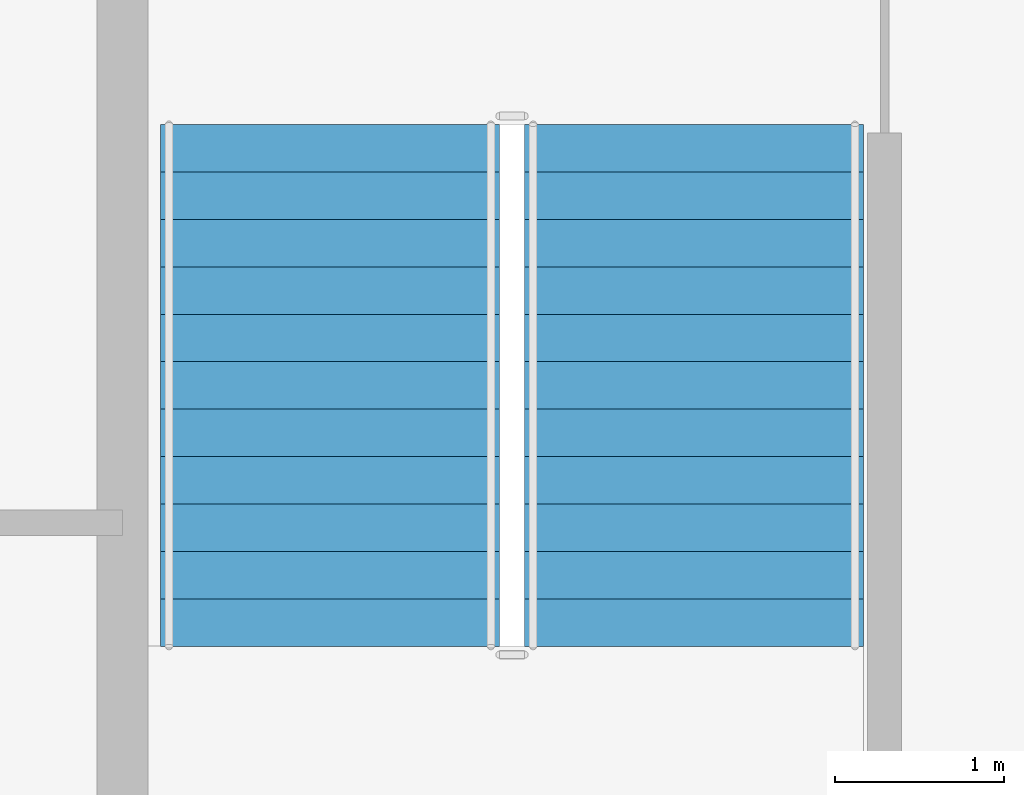
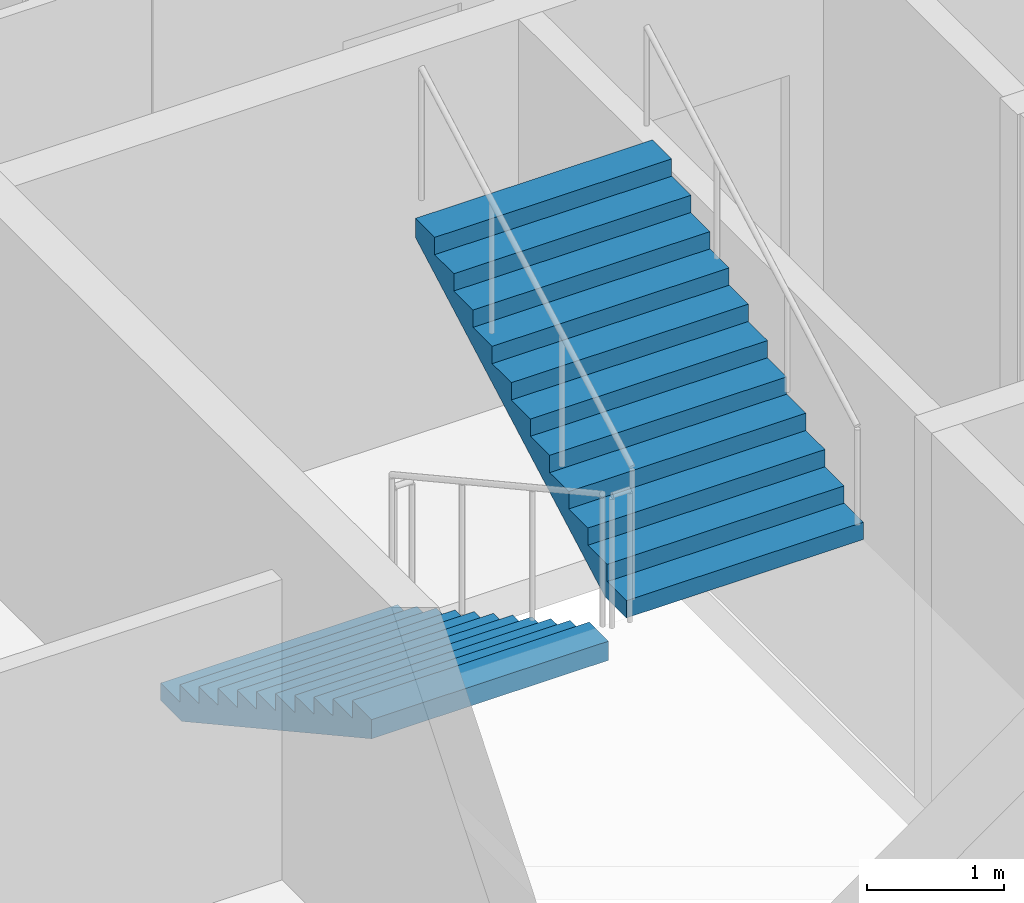
# One storey, part 9 of 12: 2 stair flights, 1 element without a shape of its own.
"""IFC4 building model written with IfcOpenShell, lengths in metres."""

from ifc_helpers import new_model, si_unit, direction, frame, origin, place, context, subcontext, project, spatial, polygons, material, type_object, element, aggregate, save


model = new_model("IFC4")

# Units and contexts
model_context = context("Model", 3, precision=1e-05, world=origin(), true_north=direction((0.0, 1.0)))
body_context = subcontext(model_context, "Body", "Model", "MODEL_VIEW")
ifc_project = project(units=[si_unit("LENGTHUNIT", "METRE"), si_unit("AREAUNIT", "SQUARE_METRE"), si_unit("VOLUMEUNIT", "CUBIC_METRE"), si_unit("PLANEANGLEUNIT", "RADIAN"), si_unit("MASSUNIT", "GRAM", prefix="KILO")], contexts=[model_context])

# Site, building, storey
site_placement = place(None, origin())
site = spatial("IfcSite", under=ifc_project, at=site_placement, CompositionType="ELEMENT")
building_placement = place(site_placement, origin())
building = spatial("IfcBuilding", under=site, at=building_placement, Name="Caravel Reach Hotel and Residences", CompositionType="ELEMENT")
storey_placement = place(building_placement, frame((0.0, 0.0, 218.300048828125)))
storey = spatial("IfcBuildingStorey", under=building, at=storey_placement, Name="L55", CompositionType="ELEMENT", Elevation=218.300048828125)

# Stair, stair flights
ifc_material_1 = material(Name="Concrete C40", Category="concrete")
stair_type = type_object("IfcStairType", Name="Core stair", PredefinedType="HALF_TURN_STAIR", material=ifc_material_1)
stair_placement = place(storey_placement, origin())
stair = element("IfcStair", 1, at=stair_placement, inside=storey, type_object=stair_type, Name="L55 Exit stair A", PredefinedType="HALF_TURN_STAIR")
ifc_material_2 = material(Name="Concrete C40", Category="concrete")
stair_flight_type = type_object("IfcStairFlightType", Name="Core stair flight", PredefinedType="STRAIGHT", material=ifc_material_2)
stair_flight_1_placement = place(storey_placement, frame((19.22509765625, 29.35009765625, 0.0), z_axis=(0.0, 0.0, 1.0), x_axis=(0.0, -1.0, 0.0)))
stair_flight_1 = element("IfcStairFlight", 2, at=stair_flight_1_placement, type_object=stair_flight_type, Name="ST-A flight 1", NumberOfRisers=12, NumberOfTreads=11, PredefinedType="STRAIGHT", RiserHeight=0.154166667, TreadLength=0.28, context=body_context, shape_type="Tessellation", body=[
    polygons([(0.3107950034306102, 1.0, 0.0), (0.3107950034306102, 0.6666666666666667, 0.0), (0.3107950034306102, 0.33333333333333337, 0.0), (0.3107950034306102, 0.0, 0.0), (0.3107950034306102, -0.33333333333333326, 0.0), (0.3107950034306102, -0.6666666666666667, 0.0), (0.3107950034306102, -1.0, 0.0), (3.081, 1.0, 1.524711087717319), (3.081, 0.6666666666666667, 1.524711087717319), (3.081, 0.33333333333333337, 1.524711087717319), (3.081, 0.0, 1.524711087717319), (3.081, -0.33333333333333326, 1.524711087717319), (3.081, -0.6666666666666667, 1.524711087717319), (3.081, -1.0, 1.524711087717319), (3.081, 1.0, 1.695833337), (3.081, 0.6666666666666667, 1.695833337), (3.081, 0.33333333333333337, 1.695833337), (3.081, 0.0, 1.695833337), (3.081, -0.33333333333333326, 1.695833337), (3.081, -0.6666666666666667, 1.695833337), (3.081, -1.0, 1.695833337), (2.8000000000000003, 1.0, 1.695833337), (2.8000000000000003, 0.6666666666666667, 1.695833337), (2.8000000000000003, 0.33333333333333337, 1.695833337), (2.8000000000000003, 0.0, 1.695833337), (2.8000000000000003, -0.33333333333333326, 1.695833337), (2.8000000000000003, -0.6666666666666667, 1.695833337), (2.8000000000000003, -1.0, 1.695833337), (2.8000000000000003, 1.0, 1.5416666700000001), (2.8000000000000003, 0.6666666666666667, 1.5416666700000001), (2.8000000000000003, 0.33333333333333337, 1.5416666700000001), (2.8000000000000003, 0.0, 1.5416666700000001), (2.8000000000000003, -0.33333333333333326, 1.5416666700000001), (2.8000000000000003, -0.6666666666666667, 1.5416666700000001), (2.8000000000000003, -1.0, 1.5416666700000001), (2.5200000000000005, 1.0, 1.5416666700000001), (2.5200000000000005, 0.6666666666666667, 1.5416666700000001), (2.5200000000000005, 0.33333333333333337, 1.5416666700000001), (2.5200000000000005, 0.0, 1.5416666700000001), (2.5200000000000005, -0.33333333333333326, 1.5416666700000001), (2.5200000000000005, -0.6666666666666667, 1.5416666700000001), (2.5200000000000005, -1.0, 1.5416666700000001), (2.5200000000000005, 1.0, 1.387500003), (2.5200000000000005, 0.6666666666666667, 1.387500003), (2.5200000000000005, 0.33333333333333337, 1.387500003), (2.5200000000000005, 0.0, 1.387500003), (2.5200000000000005, -0.33333333333333326, 1.387500003), (2.5200000000000005, -0.6666666666666667, 1.387500003), (2.5200000000000005, -1.0, 1.387500003), (2.24, 1.0, 1.387500003), (2.24, 0.6666666666666667, 1.387500003), (2.24, 0.33333333333333337, 1.387500003), (2.24, 0.0, 1.387500003), (2.24, -0.33333333333333326, 1.387500003), (2.24, -0.6666666666666667, 1.387500003), (2.24, -1.0, 1.387500003), (2.24, 1.0, 1.233333336), (2.24, 0.6666666666666667, 1.233333336), (2.24, 0.33333333333333337, 1.233333336), (2.24, 0.0, 1.233333336), (2.24, -0.33333333333333326, 1.233333336), (2.24, -0.6666666666666667, 1.233333336), (2.24, -1.0, 1.233333336), (1.9600000000000002, 1.0, 1.233333336), (1.9600000000000002, 0.6666666666666667, 1.233333336), (1.9600000000000002, 0.33333333333333337, 1.233333336), (1.9600000000000002, 0.0, 1.233333336), (1.9600000000000002, -0.33333333333333326, 1.233333336), (1.9600000000000002, -0.6666666666666667, 1.233333336), (1.9600000000000002, -1.0, 1.233333336), (1.9600000000000002, 1.0, 1.0791666690000001), (1.9600000000000002, 0.6666666666666667, 1.0791666690000001), (1.9600000000000002, 0.33333333333333337, 1.0791666690000001), (1.9600000000000002, 0.0, 1.0791666690000001), (1.9600000000000002, -0.33333333333333326, 1.0791666690000001), (1.9600000000000002, -0.6666666666666667, 1.0791666690000001), (1.9600000000000002, -1.0, 1.0791666690000001), (1.6800000000000002, 1.0, 1.0791666690000001), (1.6800000000000002, 0.6666666666666667, 1.0791666690000001), (1.6800000000000002, 0.33333333333333337, 1.0791666690000001), (1.6800000000000002, 0.0, 1.0791666690000001), (1.6800000000000002, -0.33333333333333326, 1.0791666690000001), (1.6800000000000002, -0.6666666666666667, 1.0791666690000001), (1.6800000000000002, -1.0, 1.0791666690000001), (1.6800000000000002, 1.0, 0.925000002), (1.6800000000000002, 0.6666666666666667, 0.925000002), (1.6800000000000002, 0.33333333333333337, 0.925000002), (1.6800000000000002, 0.0, 0.925000002), (1.6800000000000002, -0.33333333333333326, 0.925000002), (1.6800000000000002, -0.6666666666666667, 0.925000002), (1.6800000000000002, -1.0, 0.925000002), (1.4000000000000001, 1.0, 0.925000002), (1.4000000000000001, 0.6666666666666667, 0.925000002), (1.4000000000000001, 0.33333333333333337, 0.925000002), (1.4000000000000001, 0.0, 0.925000002), (1.4000000000000001, -0.33333333333333326, 0.925000002), (1.4000000000000001, -0.6666666666666667, 0.925000002), (1.4000000000000001, -1.0, 0.925000002), (1.4000000000000001, 1.0, 0.7708333350000001), (1.4000000000000001, 0.6666666666666667, 0.7708333350000001), (1.4000000000000001, 0.33333333333333337, 0.7708333350000001), (1.4000000000000001, 0.0, 0.7708333350000001), (1.4000000000000001, -0.33333333333333326, 0.7708333350000001), (1.4000000000000001, -0.6666666666666667, 0.7708333350000001), (1.4000000000000001, -1.0, 0.7708333350000001), (1.12, 1.0, 0.7708333350000001), (1.12, 0.6666666666666667, 0.7708333350000001), (1.12, 0.33333333333333337, 0.7708333350000001), (1.12, 0.0, 0.7708333350000001), (1.12, -0.33333333333333326, 0.7708333350000001), (1.12, -0.6666666666666667, 0.7708333350000001), (1.12, -1.0, 0.7708333350000001), (1.12, 1.0, 0.616666668), (1.12, 0.6666666666666667, 0.616666668), (1.12, 0.33333333333333337, 0.616666668), (1.12, 0.0, 0.616666668), (1.12, -0.33333333333333326, 0.616666668), (1.12, -0.6666666666666667, 0.616666668), (1.12, -1.0, 0.616666668), (0.8400000000000001, 1.0, 0.616666668), (0.8400000000000001, 0.6666666666666667, 0.616666668), (0.8400000000000001, 0.33333333333333337, 0.616666668), (0.8400000000000001, 0.0, 0.616666668), (0.8400000000000001, -0.33333333333333326, 0.616666668), (0.8400000000000001, -0.6666666666666667, 0.616666668), (0.8400000000000001, -1.0, 0.616666668), (0.8400000000000001, 1.0, 0.462500001), (0.8400000000000001, 0.6666666666666667, 0.462500001), (0.8400000000000001, 0.33333333333333337, 0.462500001), (0.8400000000000001, 0.0, 0.462500001), (0.8400000000000001, -0.33333333333333326, 0.462500001), (0.8400000000000001, -0.6666666666666667, 0.462500001), (0.8400000000000001, -1.0, 0.462500001), (0.56, 1.0, 0.462500001), (0.56, 0.6666666666666667, 0.462500001), (0.56, 0.33333333333333337, 0.462500001), (0.56, 0.0, 0.462500001), (0.56, -0.33333333333333326, 0.462500001), (0.56, -0.6666666666666667, 0.462500001), (0.56, -1.0, 0.462500001), (0.56, 1.0, 0.308333334), (0.56, 0.6666666666666667, 0.308333334), (0.56, 0.33333333333333337, 0.308333334), (0.56, 0.0, 0.308333334), (0.56, -0.33333333333333326, 0.308333334), (0.56, -0.6666666666666667, 0.308333334), (0.56, -1.0, 0.308333334), (0.28, 1.0, 0.308333334), (0.28, 0.6666666666666667, 0.308333334), (0.28, 0.33333333333333337, 0.308333334), (0.28, 0.0, 0.308333334), (0.28, -0.33333333333333326, 0.308333334), (0.28, -0.6666666666666667, 0.308333334), (0.28, -1.0, 0.308333334), (0.28, 1.0, 0.154166667), (0.28, 0.6666666666666667, 0.154166667), (0.28, 0.33333333333333337, 0.154166667), (0.28, 0.0, 0.154166667), (0.28, -0.33333333333333326, 0.154166667), (0.28, -0.6666666666666667, 0.154166667), (0.28, -1.0, 0.154166667), (-0.001, 1.0, 0.154166667), (-0.001, 0.6666666666666667, 0.154166667), (-0.001, 0.33333333333333337, 0.154166667), (-0.001, 0.0, 0.154166667), (-0.001, -0.33333333333333326, 0.154166667), (-0.001, -0.6666666666666667, 0.154166667), (-0.001, -1.0, 0.154166667), (-0.001, 1.0, 0.0), (-0.001, 0.6666666666666667, 0.0), (-0.001, 0.33333333333333337, 0.0), (-0.001, 0.0, 0.0), (-0.001, -0.33333333333333326, 0.0), (-0.001, -0.6666666666666667, 0.0), (-0.001, -1.0, 0.0)], [[[169, 162, 155, 148, 141, 134, 127, 120, 113, 106, 99, 92, 85, 78, 71, 64, 57, 50, 43, 36, 29, 22, 15, 8, 1]], [[7, 14, 21, 28, 35, 42, 49, 56, 63, 70, 77, 84, 91, 98, 105, 112, 119, 126, 133, 140, 147, 154, 161, 168, 175]], [[1, 8, 9, 2]], [[2, 9, 10, 3]], [[3, 10, 11, 4]], [[4, 11, 12, 5]], [[5, 12, 13, 6]], [[6, 13, 14, 7]], [[8, 15, 16, 9]], [[9, 16, 17, 10]], [[10, 17, 18, 11]], [[11, 18, 19, 12]], [[12, 19, 20, 13]], [[13, 20, 21, 14]], [[15, 22, 23, 16]], [[16, 23, 24, 17]], [[17, 24, 25, 18]], [[18, 25, 26, 19]], [[19, 26, 27, 20]], [[20, 27, 28, 21]], [[22, 29, 30, 23]], [[23, 30, 31, 24]], [[24, 31, 32, 25]], [[25, 32, 33, 26]], [[26, 33, 34, 27]], [[27, 34, 35, 28]], [[29, 36, 37, 30]], [[30, 37, 38, 31]], [[31, 38, 39, 32]], [[32, 39, 40, 33]], [[33, 40, 41, 34]], [[34, 41, 42, 35]], [[36, 43, 44, 37]], [[37, 44, 45, 38]], [[38, 45, 46, 39]], [[39, 46, 47, 40]], [[40, 47, 48, 41]], [[41, 48, 49, 42]], [[43, 50, 51, 44]], [[44, 51, 52, 45]], [[45, 52, 53, 46]], [[46, 53, 54, 47]], [[47, 54, 55, 48]], [[48, 55, 56, 49]], [[50, 57, 58, 51]], [[51, 58, 59, 52]], [[52, 59, 60, 53]], [[53, 60, 61, 54]], [[54, 61, 62, 55]], [[55, 62, 63, 56]], [[57, 64, 65, 58]], [[58, 65, 66, 59]], [[59, 66, 67, 60]], [[60, 67, 68, 61]], [[61, 68, 69, 62]], [[62, 69, 70, 63]], [[64, 71, 72, 65]], [[65, 72, 73, 66]], [[66, 73, 74, 67]], [[67, 74, 75, 68]], [[68, 75, 76, 69]], [[69, 76, 77, 70]], [[71, 78, 79, 72]], [[72, 79, 80, 73]], [[73, 80, 81, 74]], [[74, 81, 82, 75]], [[75, 82, 83, 76]], [[76, 83, 84, 77]], [[78, 85, 86, 79]], [[79, 86, 87, 80]], [[80, 87, 88, 81]], [[81, 88, 89, 82]], [[82, 89, 90, 83]], [[83, 90, 91, 84]], [[85, 92, 93, 86]], [[86, 93, 94, 87]], [[87, 94, 95, 88]], [[88, 95, 96, 89]], [[89, 96, 97, 90]], [[90, 97, 98, 91]], [[92, 99, 100, 93]], [[93, 100, 101, 94]], [[94, 101, 102, 95]], [[95, 102, 103, 96]], [[96, 103, 104, 97]], [[97, 104, 105, 98]], [[99, 106, 107, 100]], [[100, 107, 108, 101]], [[101, 108, 109, 102]], [[102, 109, 110, 103]], [[103, 110, 111, 104]], [[104, 111, 112, 105]], [[106, 113, 114, 107]], [[107, 114, 115, 108]], [[108, 115, 116, 109]], [[109, 116, 117, 110]], [[110, 117, 118, 111]], [[111, 118, 119, 112]], [[113, 120, 121, 114]], [[114, 121, 122, 115]], [[115, 122, 123, 116]], [[116, 123, 124, 117]], [[117, 124, 125, 118]], [[118, 125, 126, 119]], [[120, 127, 128, 121]], [[121, 128, 129, 122]], [[122, 129, 130, 123]], [[123, 130, 131, 124]], [[124, 131, 132, 125]], [[125, 132, 133, 126]], [[127, 134, 135, 128]], [[128, 135, 136, 129]], [[129, 136, 137, 130]], [[130, 137, 138, 131]], [[131, 138, 139, 132]], [[132, 139, 140, 133]], [[134, 141, 142, 135]], [[135, 142, 143, 136]], [[136, 143, 144, 137]], [[137, 144, 145, 138]], [[138, 145, 146, 139]], [[139, 146, 147, 140]], [[141, 148, 149, 142]], [[142, 149, 150, 143]], [[143, 150, 151, 144]], [[144, 151, 152, 145]], [[145, 152, 153, 146]], [[146, 153, 154, 147]], [[148, 155, 156, 149]], [[149, 156, 157, 150]], [[150, 157, 158, 151]], [[151, 158, 159, 152]], [[152, 159, 160, 153]], [[153, 160, 161, 154]], [[155, 162, 163, 156]], [[156, 163, 164, 157]], [[157, 164, 165, 158]], [[158, 165, 166, 159]], [[159, 166, 167, 160]], [[160, 167, 168, 161]], [[162, 169, 170, 163]], [[163, 170, 171, 164]], [[164, 171, 172, 165]], [[165, 172, 173, 166]], [[166, 173, 174, 167]], [[167, 174, 175, 168]], [[169, 1, 2, 170]], [[170, 2, 3, 171]], [[171, 3, 4, 172]], [[172, 4, 5, 173]], [[173, 5, 6, 174]], [[174, 6, 7, 175]]], closed=True),
])
stair_flight_2_placement = place(storey_placement, frame((21.375, 26.27001953125, 1.849853515625), z_axis=(0.0, 0.0, 1.0), x_axis=(0.0, 1.0, 0.0)))
stair_flight_2 = element("IfcStairFlight", 3, at=stair_flight_2_placement, type_object=stair_flight_type, Name="ST-A flight 2", NumberOfRisers=12, NumberOfTreads=11, PredefinedType="STRAIGHT", RiserHeight=0.154166667, TreadLength=0.28, context=body_context, shape_type="Tessellation", body=[
    polygons([(0.3107950034306102, 1.0, 0.0), (0.3107950034306102, 0.6666666666666667, 0.0), (0.3107950034306102, 0.33333333333333337, 0.0), (0.3107950034306102, 0.0, 0.0), (0.3107950034306102, -0.33333333333333326, 0.0), (0.3107950034306102, -0.6666666666666667, 0.0), (0.3107950034306102, -1.0, 0.0), (3.081, 1.0, 1.524711087717319), (3.081, 0.6666666666666667, 1.524711087717319), (3.081, 0.33333333333333337, 1.524711087717319), (3.081, 0.0, 1.524711087717319), (3.081, -0.33333333333333326, 1.524711087717319), (3.081, -0.6666666666666667, 1.524711087717319), (3.081, -1.0, 1.524711087717319), (3.081, 1.0, 1.695833337), (3.081, 0.6666666666666667, 1.695833337), (3.081, 0.33333333333333337, 1.695833337), (3.081, 0.0, 1.695833337), (3.081, -0.33333333333333326, 1.695833337), (3.081, -0.6666666666666667, 1.695833337), (3.081, -1.0, 1.695833337), (2.8000000000000003, 1.0, 1.695833337), (2.8000000000000003, 0.6666666666666667, 1.695833337), (2.8000000000000003, 0.33333333333333337, 1.695833337), (2.8000000000000003, 0.0, 1.695833337), (2.8000000000000003, -0.33333333333333326, 1.695833337), (2.8000000000000003, -0.6666666666666667, 1.695833337), (2.8000000000000003, -1.0, 1.695833337), (2.8000000000000003, 1.0, 1.5416666700000001), (2.8000000000000003, 0.6666666666666667, 1.5416666700000001), (2.8000000000000003, 0.33333333333333337, 1.5416666700000001), (2.8000000000000003, 0.0, 1.5416666700000001), (2.8000000000000003, -0.33333333333333326, 1.5416666700000001), (2.8000000000000003, -0.6666666666666667, 1.5416666700000001), (2.8000000000000003, -1.0, 1.5416666700000001), (2.5200000000000005, 1.0, 1.5416666700000001), (2.5200000000000005, 0.6666666666666667, 1.5416666700000001), (2.5200000000000005, 0.33333333333333337, 1.5416666700000001), (2.5200000000000005, 0.0, 1.5416666700000001), (2.5200000000000005, -0.33333333333333326, 1.5416666700000001), (2.5200000000000005, -0.6666666666666667, 1.5416666700000001), (2.5200000000000005, -1.0, 1.5416666700000001), (2.5200000000000005, 1.0, 1.387500003), (2.5200000000000005, 0.6666666666666667, 1.387500003), (2.5200000000000005, 0.33333333333333337, 1.387500003), (2.5200000000000005, 0.0, 1.387500003), (2.5200000000000005, -0.33333333333333326, 1.387500003), (2.5200000000000005, -0.6666666666666667, 1.387500003), (2.5200000000000005, -1.0, 1.387500003), (2.24, 1.0, 1.387500003), (2.24, 0.6666666666666667, 1.387500003), (2.24, 0.33333333333333337, 1.387500003), (2.24, 0.0, 1.387500003), (2.24, -0.33333333333333326, 1.387500003), (2.24, -0.6666666666666667, 1.387500003), (2.24, -1.0, 1.387500003), (2.24, 1.0, 1.233333336), (2.24, 0.6666666666666667, 1.233333336), (2.24, 0.33333333333333337, 1.233333336), (2.24, 0.0, 1.233333336), (2.24, -0.33333333333333326, 1.233333336), (2.24, -0.6666666666666667, 1.233333336), (2.24, -1.0, 1.233333336), (1.9600000000000002, 1.0, 1.233333336), (1.9600000000000002, 0.6666666666666667, 1.233333336), (1.9600000000000002, 0.33333333333333337, 1.233333336), (1.9600000000000002, 0.0, 1.233333336), (1.9600000000000002, -0.33333333333333326, 1.233333336), (1.9600000000000002, -0.6666666666666667, 1.233333336), (1.9600000000000002, -1.0, 1.233333336), (1.9600000000000002, 1.0, 1.0791666690000001), (1.9600000000000002, 0.6666666666666667, 1.0791666690000001), (1.9600000000000002, 0.33333333333333337, 1.0791666690000001), (1.9600000000000002, 0.0, 1.0791666690000001), (1.9600000000000002, -0.33333333333333326, 1.0791666690000001), (1.9600000000000002, -0.6666666666666667, 1.0791666690000001), (1.9600000000000002, -1.0, 1.0791666690000001), (1.6800000000000002, 1.0, 1.0791666690000001), (1.6800000000000002, 0.6666666666666667, 1.0791666690000001), (1.6800000000000002, 0.33333333333333337, 1.0791666690000001), (1.6800000000000002, 0.0, 1.0791666690000001), (1.6800000000000002, -0.33333333333333326, 1.0791666690000001), (1.6800000000000002, -0.6666666666666667, 1.0791666690000001), (1.6800000000000002, -1.0, 1.0791666690000001), (1.6800000000000002, 1.0, 0.925000002), (1.6800000000000002, 0.6666666666666667, 0.925000002), (1.6800000000000002, 0.33333333333333337, 0.925000002), (1.6800000000000002, 0.0, 0.925000002), (1.6800000000000002, -0.33333333333333326, 0.925000002), (1.6800000000000002, -0.6666666666666667, 0.925000002), (1.6800000000000002, -1.0, 0.925000002), (1.4000000000000001, 1.0, 0.925000002), (1.4000000000000001, 0.6666666666666667, 0.925000002), (1.4000000000000001, 0.33333333333333337, 0.925000002), (1.4000000000000001, 0.0, 0.925000002), (1.4000000000000001, -0.33333333333333326, 0.925000002), (1.4000000000000001, -0.6666666666666667, 0.925000002), (1.4000000000000001, -1.0, 0.925000002), (1.4000000000000001, 1.0, 0.7708333350000001), (1.4000000000000001, 0.6666666666666667, 0.7708333350000001), (1.4000000000000001, 0.33333333333333337, 0.7708333350000001), (1.4000000000000001, 0.0, 0.7708333350000001), (1.4000000000000001, -0.33333333333333326, 0.7708333350000001), (1.4000000000000001, -0.6666666666666667, 0.7708333350000001), (1.4000000000000001, -1.0, 0.7708333350000001), (1.12, 1.0, 0.7708333350000001), (1.12, 0.6666666666666667, 0.7708333350000001), (1.12, 0.33333333333333337, 0.7708333350000001), (1.12, 0.0, 0.7708333350000001), (1.12, -0.33333333333333326, 0.7708333350000001), (1.12, -0.6666666666666667, 0.7708333350000001), (1.12, -1.0, 0.7708333350000001), (1.12, 1.0, 0.616666668), (1.12, 0.6666666666666667, 0.616666668), (1.12, 0.33333333333333337, 0.616666668), (1.12, 0.0, 0.616666668), (1.12, -0.33333333333333326, 0.616666668), (1.12, -0.6666666666666667, 0.616666668), (1.12, -1.0, 0.616666668), (0.8400000000000001, 1.0, 0.616666668), (0.8400000000000001, 0.6666666666666667, 0.616666668), (0.8400000000000001, 0.33333333333333337, 0.616666668), (0.8400000000000001, 0.0, 0.616666668), (0.8400000000000001, -0.33333333333333326, 0.616666668), (0.8400000000000001, -0.6666666666666667, 0.616666668), (0.8400000000000001, -1.0, 0.616666668), (0.8400000000000001, 1.0, 0.462500001), (0.8400000000000001, 0.6666666666666667, 0.462500001), (0.8400000000000001, 0.33333333333333337, 0.462500001), (0.8400000000000001, 0.0, 0.462500001), (0.8400000000000001, -0.33333333333333326, 0.462500001), (0.8400000000000001, -0.6666666666666667, 0.462500001), (0.8400000000000001, -1.0, 0.462500001), (0.56, 1.0, 0.462500001), (0.56, 0.6666666666666667, 0.462500001), (0.56, 0.33333333333333337, 0.462500001), (0.56, 0.0, 0.462500001), (0.56, -0.33333333333333326, 0.462500001), (0.56, -0.6666666666666667, 0.462500001), (0.56, -1.0, 0.462500001), (0.56, 1.0, 0.308333334), (0.56, 0.6666666666666667, 0.308333334), (0.56, 0.33333333333333337, 0.308333334), (0.56, 0.0, 0.308333334), (0.56, -0.33333333333333326, 0.308333334), (0.56, -0.6666666666666667, 0.308333334), (0.56, -1.0, 0.308333334), (0.28, 1.0, 0.308333334), (0.28, 0.6666666666666667, 0.308333334), (0.28, 0.33333333333333337, 0.308333334), (0.28, 0.0, 0.308333334), (0.28, -0.33333333333333326, 0.308333334), (0.28, -0.6666666666666667, 0.308333334), (0.28, -1.0, 0.308333334), (0.28, 1.0, 0.154166667), (0.28, 0.6666666666666667, 0.154166667), (0.28, 0.33333333333333337, 0.154166667), (0.28, 0.0, 0.154166667), (0.28, -0.33333333333333326, 0.154166667), (0.28, -0.6666666666666667, 0.154166667), (0.28, -1.0, 0.154166667), (-0.001, 1.0, 0.154166667), (-0.001, 0.6666666666666667, 0.154166667), (-0.001, 0.33333333333333337, 0.154166667), (-0.001, 0.0, 0.154166667), (-0.001, -0.33333333333333326, 0.154166667), (-0.001, -0.6666666666666667, 0.154166667), (-0.001, -1.0, 0.154166667), (-0.001, 1.0, 0.0), (-0.001, 0.6666666666666667, 0.0), (-0.001, 0.33333333333333337, 0.0), (-0.001, 0.0, 0.0), (-0.001, -0.33333333333333326, 0.0), (-0.001, -0.6666666666666667, 0.0), (-0.001, -1.0, 0.0)], [[[169, 162, 155, 148, 141, 134, 127, 120, 113, 106, 99, 92, 85, 78, 71, 64, 57, 50, 43, 36, 29, 22, 15, 8, 1]], [[7, 14, 21, 28, 35, 42, 49, 56, 63, 70, 77, 84, 91, 98, 105, 112, 119, 126, 133, 140, 147, 154, 161, 168, 175]], [[1, 8, 9, 2]], [[2, 9, 10, 3]], [[3, 10, 11, 4]], [[4, 11, 12, 5]], [[5, 12, 13, 6]], [[6, 13, 14, 7]], [[8, 15, 16, 9]], [[9, 16, 17, 10]], [[10, 17, 18, 11]], [[11, 18, 19, 12]], [[12, 19, 20, 13]], [[13, 20, 21, 14]], [[15, 22, 23, 16]], [[16, 23, 24, 17]], [[17, 24, 25, 18]], [[18, 25, 26, 19]], [[19, 26, 27, 20]], [[20, 27, 28, 21]], [[22, 29, 30, 23]], [[23, 30, 31, 24]], [[24, 31, 32, 25]], [[25, 32, 33, 26]], [[26, 33, 34, 27]], [[27, 34, 35, 28]], [[29, 36, 37, 30]], [[30, 37, 38, 31]], [[31, 38, 39, 32]], [[32, 39, 40, 33]], [[33, 40, 41, 34]], [[34, 41, 42, 35]], [[36, 43, 44, 37]], [[37, 44, 45, 38]], [[38, 45, 46, 39]], [[39, 46, 47, 40]], [[40, 47, 48, 41]], [[41, 48, 49, 42]], [[43, 50, 51, 44]], [[44, 51, 52, 45]], [[45, 52, 53, 46]], [[46, 53, 54, 47]], [[47, 54, 55, 48]], [[48, 55, 56, 49]], [[50, 57, 58, 51]], [[51, 58, 59, 52]], [[52, 59, 60, 53]], [[53, 60, 61, 54]], [[54, 61, 62, 55]], [[55, 62, 63, 56]], [[57, 64, 65, 58]], [[58, 65, 66, 59]], [[59, 66, 67, 60]], [[60, 67, 68, 61]], [[61, 68, 69, 62]], [[62, 69, 70, 63]], [[64, 71, 72, 65]], [[65, 72, 73, 66]], [[66, 73, 74, 67]], [[67, 74, 75, 68]], [[68, 75, 76, 69]], [[69, 76, 77, 70]], [[71, 78, 79, 72]], [[72, 79, 80, 73]], [[73, 80, 81, 74]], [[74, 81, 82, 75]], [[75, 82, 83, 76]], [[76, 83, 84, 77]], [[78, 85, 86, 79]], [[79, 86, 87, 80]], [[80, 87, 88, 81]], [[81, 88, 89, 82]], [[82, 89, 90, 83]], [[83, 90, 91, 84]], [[85, 92, 93, 86]], [[86, 93, 94, 87]], [[87, 94, 95, 88]], [[88, 95, 96, 89]], [[89, 96, 97, 90]], [[90, 97, 98, 91]], [[92, 99, 100, 93]], [[93, 100, 101, 94]], [[94, 101, 102, 95]], [[95, 102, 103, 96]], [[96, 103, 104, 97]], [[97, 104, 105, 98]], [[99, 106, 107, 100]], [[100, 107, 108, 101]], [[101, 108, 109, 102]], [[102, 109, 110, 103]], [[103, 110, 111, 104]], [[104, 111, 112, 105]], [[106, 113, 114, 107]], [[107, 114, 115, 108]], [[108, 115, 116, 109]], [[109, 116, 117, 110]], [[110, 117, 118, 111]], [[111, 118, 119, 112]], [[113, 120, 121, 114]], [[114, 121, 122, 115]], [[115, 122, 123, 116]], [[116, 123, 124, 117]], [[117, 124, 125, 118]], [[118, 125, 126, 119]], [[120, 127, 128, 121]], [[121, 128, 129, 122]], [[122, 129, 130, 123]], [[123, 130, 131, 124]], [[124, 131, 132, 125]], [[125, 132, 133, 126]], [[127, 134, 135, 128]], [[128, 135, 136, 129]], [[129, 136, 137, 130]], [[130, 137, 138, 131]], [[131, 138, 139, 132]], [[132, 139, 140, 133]], [[134, 141, 142, 135]], [[135, 142, 143, 136]], [[136, 143, 144, 137]], [[137, 144, 145, 138]], [[138, 145, 146, 139]], [[139, 146, 147, 140]], [[141, 148, 149, 142]], [[142, 149, 150, 143]], [[143, 150, 151, 144]], [[144, 151, 152, 145]], [[145, 152, 153, 146]], [[146, 153, 154, 147]], [[148, 155, 156, 149]], [[149, 156, 157, 150]], [[150, 157, 158, 151]], [[151, 158, 159, 152]], [[152, 159, 160, 153]], [[153, 160, 161, 154]], [[155, 162, 163, 156]], [[156, 163, 164, 157]], [[157, 164, 165, 158]], [[158, 165, 166, 159]], [[159, 166, 167, 160]], [[160, 167, 168, 161]], [[162, 169, 170, 163]], [[163, 170, 171, 164]], [[164, 171, 172, 165]], [[165, 172, 173, 166]], [[166, 173, 174, 167]], [[167, 174, 175, 168]], [[169, 1, 2, 170]], [[170, 2, 3, 171]], [[171, 3, 4, 172]], [[172, 4, 5, 173]], [[173, 5, 6, 174]], [[174, 6, 7, 175]]], closed=True),
])
aggregate(stair, [stair_flight_1, stair_flight_2])

save(model, "model.ifc")
